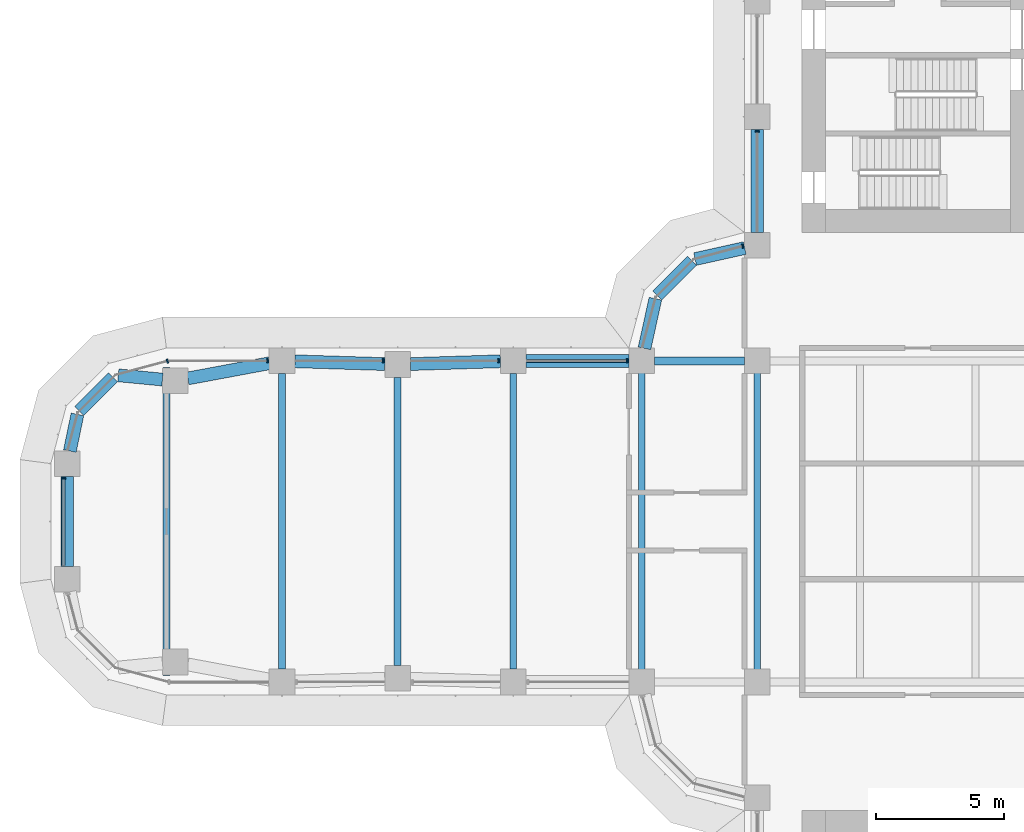
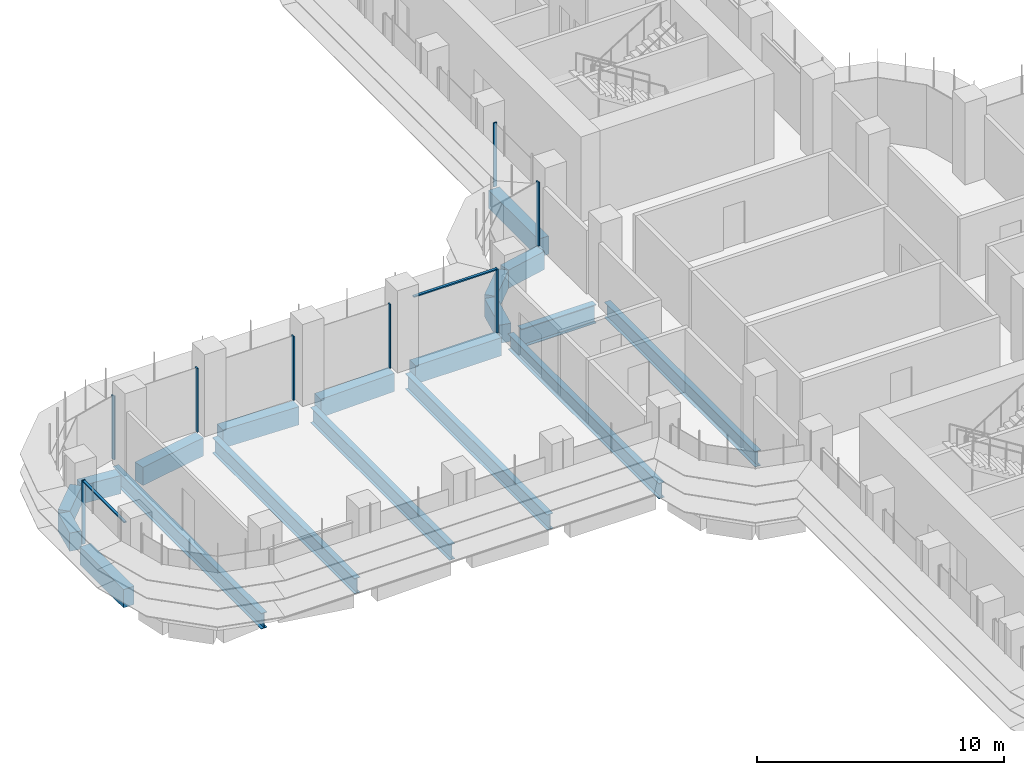
# One storey, part 6 of 23: 19 beams, 10 members, 5 elements without a shape of their own.
"""IFC4 building model written with IfcOpenShell, lengths in metres."""

from ifc_helpers import new_model, si_unit, direction, frame, origin, origin_2d, place, context, subcontext, project, spatial, polyline, rectangle, i_section, outline, extrude, source, transform, mapped, material, material_profile, profile_set, type_object, element, aggregate, save


model = new_model("IFC4")

# Units and contexts
model_context = context("Model", 3, precision=1e-05, world=origin(), true_north=direction((0.0, 1.0)))
body_context = subcontext(model_context, "Body", "Model", "MODEL_VIEW")
ifc_project = project(units=[si_unit("LENGTHUNIT", "METRE"), si_unit("AREAUNIT", "SQUARE_METRE"), si_unit("VOLUMEUNIT", "CUBIC_METRE"), si_unit("PLANEANGLEUNIT", "RADIAN"), si_unit("MASSUNIT", "GRAM", prefix="KILO")], contexts=[model_context])

# Site, building, storey
site_placement = place(None, origin())
site = spatial("IfcSite", under=ifc_project, at=site_placement, CompositionType="ELEMENT")
building_placement = place(site_placement, origin())
building = spatial("IfcBuilding", under=site, at=building_placement, Name="Zarbagh Exchange Tower", CompositionType="ELEMENT")
storey_placement = place(building_placement, frame((0.0, 0.0, 73.199951171875)))
storey = spatial("IfcBuildingStorey", under=building, at=storey_placement, Name="L16", CompositionType="ELEMENT", Elevation=73.199951171875)

# Beams
ifc_material_1 = material(Name="Steel ASTM A992 Gr 50", Category="steel")
ifc_material_profile_1 = material_profile(ifc_material_1, i_section(OverallWidth=0.2666015625, OverallDepth=0.76708984375, WebThickness=0.014892578125, FlangeThickness=0.023681640625, at=origin_2d()), Name="W30X124")
ifc_profile_set_1 = profile_set([ifc_material_profile_1], Name="Steel ASTM A992 Gr 50")
beam_type_1 = type_object("IfcBeamType", Name="Floor beam W30X124", PredefinedType="BEAM", material=ifc_profile_set_1)
for number, where, z_axis, x_axis, name in (
    (1, (-10.75, -6.09765625, -0.533447265625), (0.0, 1.0, 0.0), (-1.0, 0.0, 0.0), "Steel floor beam"),
    (2, (-6.25, -6.09765625, -0.533447265625), (0.0, 1.0, 0.0), (-1.0, 0.0, 0.0), "Steel floor beam"),
):
    element("IfcBeam", number, at=place(storey_placement, frame(where, z_axis=z_axis, x_axis=x_axis)), inside=storey, type_object=beam_type_1, Name=name, PredefinedType="BEAM", context=body_context, shape_type="SweptSolid", body=[
        extrude(i_section(OverallWidth=0.2666015625, OverallDepth=0.76708984375, WebThickness=0.014892578125, FlangeThickness=0.023681640625, at=origin_2d()), origin(), (0.0, 0.0, 1.0), 12.1953125),
    ])
beam_1_placement = place(storey_placement, frame((-15.75, -5.75, -0.533447265625), z_axis=(0.0, 1.0, 0.0), x_axis=(-1.0, 0.0, 0.0)))
element("IfcBeam", 3, at=beam_1_placement, inside=storey, type_object=beam_type_1, Name="Steel floor beam", PredefinedType="BEAM", context=body_context, shape_type="SweptSolid", body=[
    extrude(i_section(OverallWidth=0.2666015625, OverallDepth=0.76708984375, WebThickness=0.014892578125, FlangeThickness=0.023681640625, at=origin_2d()), origin(), (0.0, 0.0, 1.0), 11.5),
])
beam_2_placement = place(storey_placement, frame((-20.25, -5.610107421875, -0.533447265625), z_axis=(0.0, 1.0, 0.0), x_axis=(-1.0, 0.0, 0.0)))
element("IfcBeam", 4, at=beam_2_placement, inside=storey, type_object=beam_type_1, Name="Steel floor beam", PredefinedType="BEAM", context=body_context, shape_type="SweptSolid", body=[
    extrude(i_section(OverallWidth=0.2666015625, OverallDepth=0.76708984375, WebThickness=0.014892578125, FlangeThickness=0.023681640625, at=origin_2d()), origin(), (0.0, 0.0, 1.0), 11.22021484375),
])
beam_3_placement = place(storey_placement, frame((-24.75, -5.75, -0.533447265625), z_axis=(0.0, 1.0, 0.0), x_axis=(-1.0, 0.0, 0.0)))
element("IfcBeam", 5, at=beam_3_placement, inside=storey, type_object=beam_type_1, Name="Steel floor beam", PredefinedType="BEAM", context=body_context, shape_type="SweptSolid", body=[
    extrude(i_section(OverallWidth=0.2666015625, OverallDepth=0.76708984375, WebThickness=0.014892578125, FlangeThickness=0.023681640625, at=origin_2d()), origin(), (0.0, 0.0, 1.0), 11.5),
])
beam_4_placement = place(storey_placement, frame((-29.25, -6.0, -0.533447265625), z_axis=(0.0, 1.0, 0.0), x_axis=(-1.0, 0.0, 0.0)))
element("IfcBeam", 6, at=beam_4_placement, inside=storey, type_object=beam_type_1, Name="Steel floor beam", PredefinedType="BEAM", context=body_context, shape_type="SweptSolid", body=[
    extrude(i_section(OverallWidth=0.2666015625, OverallDepth=0.76708984375, WebThickness=0.014892578125, FlangeThickness=0.023681640625, at=origin_2d()), origin(), (0.0, 0.0, 1.0), 12.0),
])
ifc_material_profile_2 = material_profile(ifc_material_1, i_section(OverallWidth=0.3046875, OverallDepth=0.91943359375, WebThickness=0.017333984375, FlangeThickness=0.02783203125, at=origin_2d()), Name="W36X170")
ifc_profile_set_2 = profile_set([ifc_material_profile_2], Name="Steel ASTM A992 Gr 50")
beam_type_2 = type_object("IfcBeamType", Name="Floor girder W36X170", PredefinedType="BEAM", material=ifc_profile_set_2)
beam_5_placement = place(storey_placement, frame((-10.25, 6.25, -0.609619140625), z_axis=(1.0, 0.0, 0.0), x_axis=(0.0, 1.0, 0.0)))
element("IfcBeam", 7, at=beam_5_placement, inside=storey, type_object=beam_type_2, Name="Steel girder", PredefinedType="BEAM", context=body_context, shape_type="SweptSolid", body=[
    extrude(i_section(OverallWidth=0.3046875, OverallDepth=0.91943359375, WebThickness=0.017333984375, FlangeThickness=0.02783203125, at=origin_2d()), origin(), (0.0, 0.0, 1.0), 3.5),
])
ifc_material_2 = material(Name="Concrete C60/75", Category="concrete")
ifc_material_profile_3 = material_profile(ifc_material_2, rectangle(XDim=0.5, YDim=0.89990234375, at=origin_2d()), Name="RC spandrel beam 500 x 900 C60/75")
ifc_profile_set_3 = profile_set([ifc_material_profile_3], Name="Concrete C60/75")
beam_type_3 = type_object("IfcBeamType", Name="RC spandrel beam 500 x 900 C60/75", PredefinedType="SPANDREL", material=ifc_profile_set_3)
beam_6_placement = place(storey_placement, frame((-33.110107421875, -1.75, -0.599853515625), z_axis=(0.0, 1.0, 0.0), x_axis=(-1.0, 0.0, 0.0)))
element("IfcBeam", 8, at=beam_6_placement, inside=storey, type_object=beam_type_3, Name="RC spandrel beam", PredefinedType="SPANDREL", context=body_context, shape_type="SweptSolid", body=[
    extrude(rectangle(XDim=0.5, YDim=0.89990234375, at=origin_2d()), origin(), (0.0, 0.0, 1.0), 3.5),
])
beam_7_placement = place(storey_placement, frame((-33.0087890625, 2.73974609375, -0.599853515625), z_axis=(0.202068589164, 0.9793713725, 0.0), x_axis=(-0.9793713725, 0.202068589164, 0.0)))
element("IfcBeam", 9, at=beam_7_placement, inside=storey, type_object=beam_type_3, Name="RC spandrel beam", PredefinedType="SPANDREL", context=body_context, shape_type="SweptSolid", body=[
    extrude(rectangle(XDim=0.5, YDim=0.89990234375, at=origin_2d()), origin(), (0.0, 0.0, 1.0), 1.458251953125),
])
beam_8_placement = place(storey_placement, frame((-32.64599609375, 4.294189453125, -0.599853515625), z_axis=(0.707172099812, 0.707041456527, 0.0), x_axis=(-0.707041456527, 0.707172099812, 0.0)))
element("IfcBeam", 10, at=beam_8_placement, inside=storey, type_object=beam_type_3, Name="RC spandrel beam", PredefinedType="SPANDREL", context=body_context, shape_type="SweptSolid", body=[
    extrude(rectangle(XDim=0.5, YDim=0.89990234375, at=origin_2d()), origin(), (0.0, 0.0, 1.0), 1.86865234375),
])
beam_9_placement = place(storey_placement, frame((-31.123779296875, 5.6875, -0.599853515625), z_axis=(0.995431032456, -0.095483294999, 0.0), x_axis=(0.095483294999, 0.995431032456, 0.0)))
element("IfcBeam", 11, at=beam_9_placement, inside=storey, type_object=beam_type_3, Name="RC spandrel beam", PredefinedType="SPANDREL", context=body_context, shape_type="SweptSolid", body=[
    extrude(rectangle(XDim=0.5, YDim=0.89990234375, at=origin_2d()), origin(), (0.0, 0.0, 1.0), 1.725830078125),
])
beam_10_placement = place(storey_placement, frame((-28.41650390625, 5.566650390625, -0.599853515625), z_axis=(0.983069300761, 0.183234139565, 0.0), x_axis=(-0.183234139565, 0.983069300761, 0.0)))
element("IfcBeam", 12, at=beam_10_placement, inside=storey, type_object=beam_type_3, Name="RC spandrel beam", PredefinedType="SPANDREL", context=body_context, shape_type="SweptSolid", body=[
    extrude(rectangle(XDim=0.5, YDim=0.89990234375, at=origin_2d()), origin(), (0.0, 0.0, 1.0), 3.229736328125),
])
for number, where, z_axis, x_axis, name in (
    (13, (-24.250244140625, 6.234619140625, -0.599853515625), (0.999514385708, -0.031160756759, 0.0), (0.031160756759, 0.999514385708, 0.0), "RC spandrel beam"),
    (14, (-19.750244140625, 6.12548828125, -0.599853515625), (0.999514385708, 0.031160756759, 0.0), (-0.031160756759, 0.999514385708, 0.0), "RC spandrel beam"),
):
    element("IfcBeam", number, at=place(storey_placement, frame(where, z_axis=z_axis, x_axis=x_axis)), inside=storey, type_object=beam_type_3, Name=name, PredefinedType="SPANDREL", context=body_context, shape_type="SweptSolid", body=[
        extrude(rectangle(XDim=0.5, YDim=0.89990234375, at=origin_2d()), origin(), (0.0, 0.0, 1.0), 3.502197265625),
    ])
beam_11_placement = place(storey_placement, frame((-15.25, 6.25, -0.599853515625), z_axis=(1.0, 0.0, 0.0), x_axis=(0.0, 1.0, 0.0)))
element("IfcBeam", 15, at=beam_11_placement, inside=storey, type_object=beam_type_3, Name="RC spandrel beam", PredefinedType="SPANDREL", context=body_context, shape_type="SweptSolid", body=[
    extrude(rectangle(XDim=0.5, YDim=0.89990234375, at=origin_2d()), origin(), (0.0, 0.0, 1.0), 4.0),
])
beam_12_placement = place(storey_placement, frame((-10.64208984375, 6.73828125, -0.599853515625), z_axis=(0.216081063242, 0.976375426825, 0.0), x_axis=(-0.976375426825, 0.216081063242, 0.0)))
element("IfcBeam", 16, at=beam_12_placement, inside=storey, type_object=beam_type_3, Name="RC spandrel beam", PredefinedType="SPANDREL", context=body_context, shape_type="SweptSolid", body=[
    extrude(rectangle(XDim=0.5, YDim=0.89990234375, at=origin_2d()), origin(), (0.0, 0.0, 1.0), 1.978271484375),
])
beam_13_placement = place(storey_placement, frame((-10.147216796875, 8.792724609375, -0.599853515625), z_axis=(0.707106781187, 0.707106781187, 0.0), x_axis=(-0.707106781187, 0.707106781187, 0.0)))
element("IfcBeam", 17, at=beam_13_placement, inside=storey, type_object=beam_type_3, Name="RC spandrel beam", PredefinedType="SPANDREL", context=body_context, shape_type="SweptSolid", body=[
    extrude(rectangle(XDim=0.5, YDim=0.89990234375, at=origin_2d()), origin(), (0.0, 0.0, 1.0), 1.91552734375),
])
beam_14_placement = place(storey_placement, frame((-8.669921875, 10.214599609375, -0.599853515625), z_axis=(0.976375426825, 0.216081063242, 0.0), x_axis=(-0.216081063242, 0.976375426825, 0.0)))
element("IfcBeam", 18, at=beam_14_placement, inside=storey, type_object=beam_type_3, Name="RC spandrel beam", PredefinedType="SPANDREL", context=body_context, shape_type="SweptSolid", body=[
    extrude(rectangle(XDim=0.5, YDim=0.89990234375, at=origin_2d()), origin(), (0.0, 0.0, 1.0), 1.978271484375),
])
beam_15_placement = place(storey_placement, frame((-6.25, 11.25, -0.599853515625), z_axis=(0.0, 1.0, 0.0), x_axis=(-1.0, 0.0, 0.0)))
element("IfcBeam", 19, at=beam_15_placement, inside=storey, type_object=beam_type_3, Name="RC spandrel beam", PredefinedType="SPANDREL", context=body_context, shape_type="SweptSolid", body=[
    extrude(rectangle(XDim=0.5, YDim=0.89990234375, at=origin_2d()), origin(), (0.0, 0.0, 1.0), 4.0),
])

# Curtain wall, member
ifc_material_3 = material(Name="Anodised aluminium frame and glazing", Category="aluminium")
curtain_wall_type = type_object("IfcCurtainWallType", Name="CWA Ribbon glazing, lower zones", PredefinedType="NOTDEFINED", material=ifc_material_3)
curtain_wall_1_placement = place(storey_placement, origin())
curtain_wall_1 = element("IfcCurtainWall", 20, at=curtain_wall_1_placement, inside=storey, type_object=curtain_wall_type, Name="CWA28 curtain wall", PredefinedType="NOTDEFINED")
ifc_material_4 = material(Name="Anodised aluminium frame", Category="aluminium")
member_type_1 = type_object("IfcMemberType", Name="MUA Mullion, anodised aluminium frame", PredefinedType="MULLION", material=ifc_material_4)
shared_shape_1 = source(origin(), body_context, "Body", "SweptSolid", [
    extrude(outline(polyline([(0.0, -0.080078125), (0.06005859375, -0.080078125), (0.06005859375, 0.080078125), (0.0, 0.080078125), (0.0, -0.080078125)])), origin(), (0.0, 0.0, 1.0), 3.14990234375),
])
placement = place(storey_placement, origin())
member_1 = element("IfcMember", 21, at=placement, type_object=member_type_1, Name="CWA28 mullion 5.1", PredefinedType="MULLION", context=body_context, shape_type="MappedRepresentation", body=[
    mapped(shared_shape_1, transform((-6.25, 15.2099609375, 0.0), x_axis=(0.0, -1.0, 0.0), y_axis=(1.0, 0.0, 0.0), z_axis=(0.0, 0.0, 1.0))),
])
aggregate(curtain_wall_1, [member_1])

curtain_wall_2_placement = place(storey_placement, origin())
curtain_wall_2 = element("IfcCurtainWall", 22, at=curtain_wall_2_placement, inside=storey, type_object=curtain_wall_type, Name="CWA29 curtain wall", PredefinedType="NOTDEFINED")
member_2 = element("IfcMember", 23, at=placement, type_object=member_type_1, Name="CWA29 mullion 1.1", PredefinedType="MULLION", context=body_context, shape_type="MappedRepresentation", body=[
    mapped(shared_shape_1, transform((-6.7900390625, 10.7216796875, 0.0), x_axis=(-0.965924289636, -0.258824779902, 0.0), y_axis=(0.258824779902, -0.965924289636, 0.0), z_axis=(0.0, 0.0, 1.0))),
])
aggregate(curtain_wall_2, [member_2])

# Curtain wall, members
curtain_wall_3_placement = place(storey_placement, origin())
curtain_wall_3 = element("IfcCurtainWall", 24, at=curtain_wall_3_placement, inside=storey, type_object=curtain_wall_type, Name="CWA32 curtain wall", PredefinedType="NOTDEFINED")
member_3 = element("IfcMember", 25, at=placement, type_object=member_type_1, Name="CWA32 mullion 1.1", PredefinedType="MULLION", context=body_context, shape_type="MappedRepresentation", body=[
    mapped(shared_shape_1, transform((-11.2900390625, 6.25, 0.0), x_axis=(-1.0, 0.0, 0.0), y_axis=(0.0, -1.0, 0.0), z_axis=(0.0, 0.0, 1.0))),
])
member_4 = element("IfcMember", 26, at=placement, type_object=member_type_1, Name="CWA32 mullion 2.1", PredefinedType="MULLION", context=body_context, shape_type="MappedRepresentation", body=[
    mapped(shared_shape_1, transform((-16.2900390625, 6.25, 0.0), x_axis=(-1.0, 0.0, 0.0), y_axis=(0.0, -1.0, 0.0), z_axis=(0.0, 0.0, 1.0))),
])
member_5 = element("IfcMember", 27, at=placement, type_object=member_type_1, Name="CWA32 mullion 3.1", PredefinedType="MULLION", context=body_context, shape_type="MappedRepresentation", body=[
    mapped(shared_shape_1, transform((-20.7900390625, 6.25, 0.0), x_axis=(-1.0, 0.0, 0.0), y_axis=(0.0, -1.0, 0.0), z_axis=(0.0, 0.0, 1.0))),
])
member_6 = element("IfcMember", 28, at=placement, type_object=member_type_1, Name="CWA32 mullion 4.1", PredefinedType="MULLION", context=body_context, shape_type="MappedRepresentation", body=[
    mapped(shared_shape_1, transform((-25.2900390625, 6.25, 0.0), x_axis=(-1.0, 0.0, 0.0), y_axis=(0.0, -1.0, 0.0), z_axis=(0.0, 0.0, 1.0))),
])

# Curtain wall, member
curtain_wall_4_placement = place(storey_placement, origin())
curtain_wall_4 = element("IfcCurtainWall", 29, at=curtain_wall_4_placement, inside=storey, type_object=curtain_wall_type, Name="CWA33 curtain wall", PredefinedType="NOTDEFINED")
member_7 = element("IfcMember", 30, at=placement, type_object=member_type_1, Name="CWA33 mullion 1.1", PredefinedType="MULLION", context=body_context, shape_type="MappedRepresentation", body=[
    mapped(shared_shape_1, transform((-29.18408203125, 6.25, 0.0), x_axis=(-0.965924289636, -0.258824779902, 0.0), y_axis=(0.258824779902, -0.965924289636, 0.0), z_axis=(0.0, 0.0, 1.0))),
])
aggregate(curtain_wall_4, [member_7])

curtain_wall_5_placement = place(storey_placement, origin())
curtain_wall_5 = element("IfcCurtainWall", 31, at=curtain_wall_5_placement, inside=storey, type_object=curtain_wall_type, Name="CWA36 curtain wall", PredefinedType="NOTDEFINED")
member_8 = element("IfcMember", 32, at=placement, type_object=member_type_1, Name="CWA36 mullion 1.1", PredefinedType="MULLION", context=body_context, shape_type="MappedRepresentation", body=[
    mapped(shared_shape_1, transform((-33.25, 1.7099609375, 0.0), x_axis=(0.0, -1.0, 0.0), y_axis=(1.0, 0.0, 0.0), z_axis=(0.0, 0.0, 1.0))),
])

# Member
member_type_2 = type_object("IfcMemberType", Name="TRA Transom, anodised aluminium frame", PredefinedType="USERDEFINED", material=ifc_material_4)
shared_shape_2 = source(origin(), body_context, "Body", "SweptSolid", [
    extrude(outline(polyline([(-0.06005859375, -0.06005859375), (0.0, -0.06005859375), (0.0, 0.06005859375), (-0.06005859375, 0.06005859375), (-0.06005859375, -0.06005859375)])), origin(), (0.0, 0.0, 1.0), 3.860107421875),
])
member_9 = element("IfcMember", 33, at=placement, type_object=member_type_2, Name="CWA32 transom 1.1", ObjectType="TRANSOM", PredefinedType="USERDEFINED", context=body_context, shape_type="MappedRepresentation", body=[
    mapped(shared_shape_2, transform((-11.35009765625, 6.25, 3.150146484375), x_axis=(0.0, 0.0, 1.0), y_axis=(0.0, 1.0, 0.0), z_axis=(-1.0, 0.0, 0.0))),
])

aggregate(curtain_wall_3, [member_3, member_9, member_4, member_5, member_6])

shared_shape_3 = source(origin(), body_context, "Body", "SweptSolid", [
    extrude(outline(polyline([(-0.06005859375, -0.06005859375), (0.0, -0.06005859375), (0.0, 0.06005859375), (-0.06005859375, 0.06005859375), (-0.06005859375, -0.06005859375)])), origin(), (0.0, 0.0, 1.0), 3.360107421875),
])
member_10 = element("IfcMember", 34, at=placement, type_object=member_type_2, Name="CWA36 transom 1.1", ObjectType="TRANSOM", PredefinedType="USERDEFINED", context=body_context, shape_type="MappedRepresentation", body=[
    mapped(shared_shape_3, transform((-33.25, 1.64990234375, 3.150146484375), x_axis=(0.0, 0.0, 1.0), y_axis=(-1.0, 0.0, 0.0), z_axis=(0.0, -1.0, 0.0))),
])

aggregate(curtain_wall_5, [member_8, member_10])

save(model, "model.ifc")
